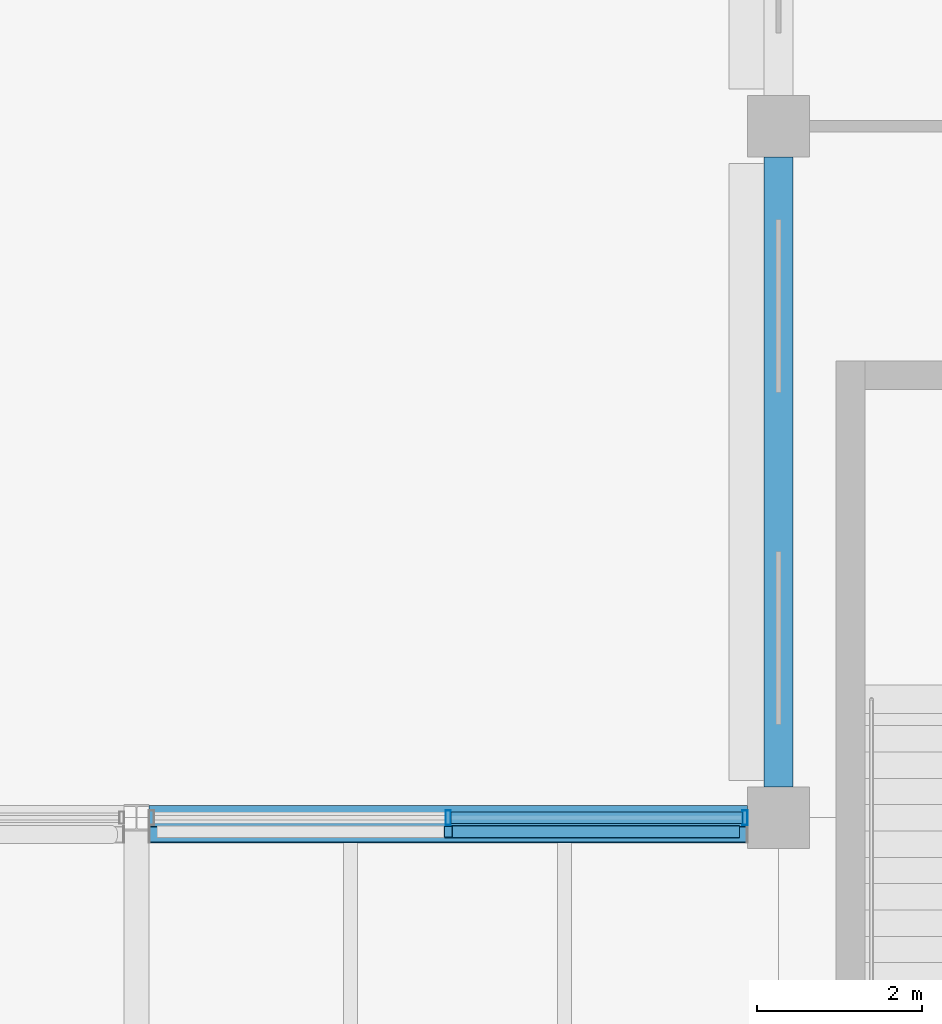
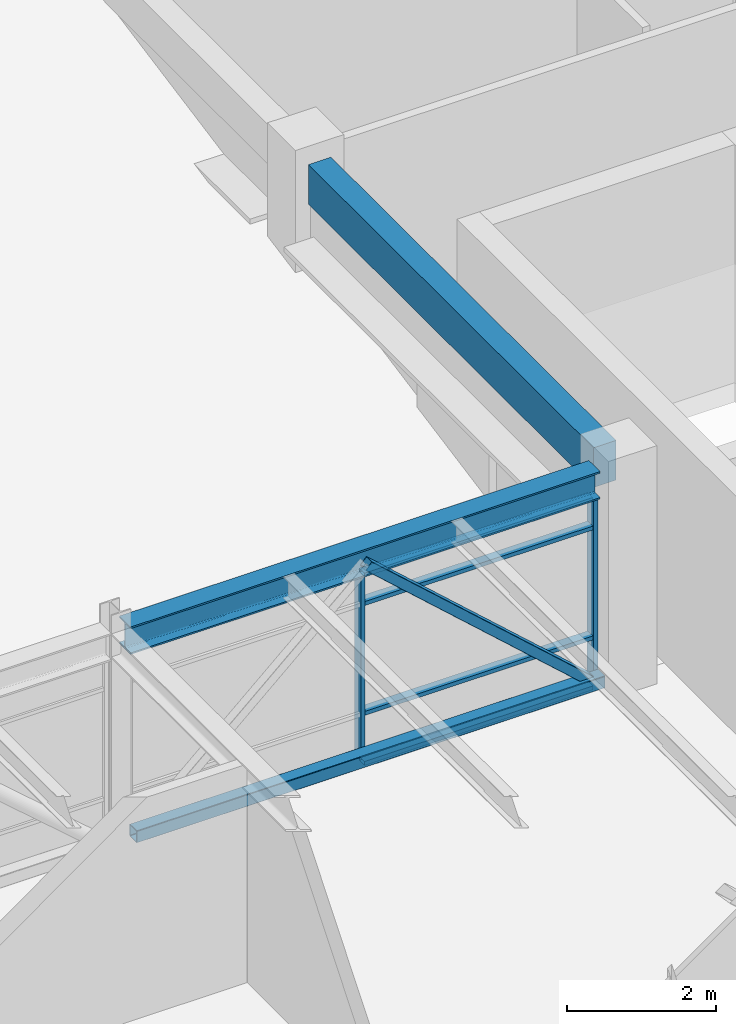
# One storey, part 39 of 72: 8 members, 2 beams, 1 element without a shape of its own.
"""IFC4 building model written with IfcOpenShell, lengths in metres."""

from ifc_helpers import new_model, si_unit, direction, frame, origin, origin_2d, place, context, subcontext, project, spatial, rectangle, hollow_rectangle, i_section, extrude, material, material_profile, profile_set, type_object, element, aggregate, save


model = new_model("IFC4")

# Units and contexts
model_context = context("Model", 3, precision=1e-05, world=origin(), true_north=direction((0.0, 1.0)))
body_context = subcontext(model_context, "Body", "Model", "MODEL_VIEW")
ifc_project = project(units=[si_unit("LENGTHUNIT", "METRE"), si_unit("AREAUNIT", "SQUARE_METRE"), si_unit("VOLUMEUNIT", "CUBIC_METRE"), si_unit("PLANEANGLEUNIT", "RADIAN"), si_unit("MASSUNIT", "GRAM", prefix="KILO"), si_unit("THERMODYNAMICTEMPERATUREUNIT", "KELVIN"), si_unit("POWERUNIT", "WATT")], contexts=[model_context])

# Site, building, storey
site_placement = place(None, origin())
site = spatial("IfcSite", under=ifc_project, at=site_placement, CompositionType="ELEMENT")
building_placement = place(site_placement, origin())
building = spatial("IfcBuilding", under=site, at=building_placement, Name="Srebrne Nadtorze General Hospital", CompositionType="ELEMENT")
storey_placement = place(building_placement, frame((0.0, 0.0, 22.199951171875)))
storey = spatial("IfcBuildingStorey", under=building, at=storey_placement, Name="L05", CompositionType="ELEMENT", Elevation=22.199951171875)

# Beam
ifc_material_1 = material(Name="Steel S355J2", Category="steel")
ifc_material_profile_1 = material_profile(ifc_material_1, i_section(OverallWidth=0.300048828125, OverallDepth=0.449951171875, WebThickness=0.013916015625, FlangeThickness=0.02587890625, FilletRadius=0.027099609375, at=origin_2d()), Name="HEB-450")
ifc_profile_set_1 = profile_set([ifc_material_profile_1], Name="Steel S355J2")
beam_type_1 = type_object("IfcBeamType", Name="Courtyard bridge girder HEB 450", PredefinedType="BEAM", material=ifc_profile_set_1)
beam_1_placement = place(storey_placement, frame((93.75, 58.800048828125, 3.375), z_axis=(1.0, 0.0, 0.0), x_axis=(0.0, 1.0, 0.0)))
element("IfcBeam", 1, at=beam_1_placement, inside=storey, type_object=beam_type_1, Name="Beam BM-L05-X-1039", PredefinedType="BEAM", context=body_context, shape_type="SweptSolid", body=[
    extrude(i_section(OverallWidth=0.300048828125, OverallDepth=0.449951171875, WebThickness=0.013916015625, FlangeThickness=0.02587890625, FilletRadius=0.027099609375, at=origin_2d()), origin(), (0.0, 0.0, 1.0), 7.27490234375),
])

# Curtain wall, members
ifc_material_2 = material(Name="Anodised Aluminium", Category="aluminium")
curtain_wall_type = type_object("IfcCurtainWallType", Name="Bridge curtain wall 7275x3150", PredefinedType="NOTDEFINED", material=ifc_material_2)
curtain_wall_placement = place(storey_placement, origin())
curtain_wall = element("IfcCurtainWall", 2, at=curtain_wall_placement, inside=storey, type_object=curtain_wall_type, Name="Curtain wall CW-129", PredefinedType="NOTDEFINED")
ifc_material_3 = material(Name="Anodised Aluminium", Category="aluminium")
ifc_material_profile_2 = material_profile(ifc_material_3, hollow_rectangle(XDim=0.06494140625, YDim=0.179931640625, WallThickness=0.00390625, at=origin_2d()), Name="AL-MUL-65x180")
ifc_profile_set_2 = profile_set([ifc_material_profile_2], Name="Anodised Aluminium")
member_type_1 = type_object("IfcMemberType", Name="Curtain mullion 65x180", PredefinedType="MULLION", material=ifc_profile_set_2)
member_1_placement = place(storey_placement, frame((97.387451171875, 58.800048828125, 0.0), z_axis=(0.0, 0.0, 1.0), x_axis=(1.0, 0.0, 0.0)))
member_1 = element("IfcMember", 3, at=member_1_placement, type_object=member_type_1, Name="CW-129 mullion 2", PredefinedType="MULLION", context=body_context, shape_type="SweptSolid", body=[
    extrude(hollow_rectangle(XDim=0.06494140625, YDim=0.179931640625, WallThickness=0.00390625, at=origin_2d()), origin(), (0.0, 0.0, 1.0), 3.150146484375),
])
member_2_placement = place(storey_placement, frame((100.992431640625, 58.800048828125, 0.0), z_axis=(0.0, 0.0, 1.0), x_axis=(1.0, 0.0, 0.0)))
member_2 = element("IfcMember", 4, at=member_2_placement, type_object=member_type_1, Name="CW-129 mullion 3", PredefinedType="MULLION", context=body_context, shape_type="SweptSolid", body=[
    extrude(hollow_rectangle(XDim=0.06494140625, YDim=0.179931640625, WallThickness=0.00390625, at=origin_2d()), origin(), (0.0, 0.0, 1.0), 3.150146484375),
])
ifc_material_4 = material(Name="Anodised Aluminium", Category="aluminium")
ifc_material_profile_3 = material_profile(ifc_material_4, hollow_rectangle(XDim=0.06494140625, YDim=0.139892578125, WallThickness=0.00390625, at=origin_2d()), Name="AL-TRN-65x140")
ifc_profile_set_3 = profile_set([ifc_material_profile_3], Name="Anodised Aluminium")
member_type_2 = type_object("IfcMemberType", Name="Curtain transom 65x140", PredefinedType="USERDEFINED", material=ifc_profile_set_3)
member_3_placement = place(storey_placement, frame((97.419921875, 58.800048828125, 0.032470703125), z_axis=(1.0, 0.0, 0.0), x_axis=(0.0, 0.0, 1.0)))
member_3 = element("IfcMember", 5, at=member_3_placement, type_object=member_type_2, Name="CW-129 transom 2.1", ObjectType="TRANSOM", PredefinedType="USERDEFINED", context=body_context, shape_type="SweptSolid", body=[
    extrude(hollow_rectangle(XDim=0.06494140625, YDim=0.139892578125, WallThickness=0.00390625, at=origin_2d()), origin(), (0.0, 0.0, 1.0), 3.5400390625),
])
member_4_placement = place(storey_placement, frame((97.419921875, 58.800048828125, 0.85009765625), z_axis=(1.0, 0.0, 0.0), x_axis=(0.0, 0.0, 1.0)))
member_4 = element("IfcMember", 6, at=member_4_placement, type_object=member_type_2, Name="CW-129 transom 2.2", ObjectType="TRANSOM", PredefinedType="USERDEFINED", context=body_context, shape_type="SweptSolid", body=[
    extrude(hollow_rectangle(XDim=0.06494140625, YDim=0.139892578125, WallThickness=0.00390625, at=origin_2d()), origin(), (0.0, 0.0, 1.0), 3.5400390625),
])
member_5_placement = place(storey_placement, frame((97.419921875, 58.800048828125, 2.650146484375), z_axis=(1.0, 0.0, 0.0), x_axis=(0.0, 0.0, 1.0)))
member_5 = element("IfcMember", 7, at=member_5_placement, type_object=member_type_2, Name="CW-129 transom 2.3", ObjectType="TRANSOM", PredefinedType="USERDEFINED", context=body_context, shape_type="SweptSolid", body=[
    extrude(hollow_rectangle(XDim=0.06494140625, YDim=0.139892578125, WallThickness=0.00390625, at=origin_2d()), origin(), (0.0, 0.0, 1.0), 3.5400390625),
])
member_6_placement = place(storey_placement, frame((97.419921875, 58.800048828125, 3.117431640625), z_axis=(1.0, 0.0, 0.0), x_axis=(0.0, 0.0, 1.0)))
member_6 = element("IfcMember", 8, at=member_6_placement, type_object=member_type_2, Name="CW-129 transom 2.4", ObjectType="TRANSOM", PredefinedType="USERDEFINED", context=body_context, shape_type="SweptSolid", body=[
    extrude(hollow_rectangle(XDim=0.06494140625, YDim=0.139892578125, WallThickness=0.00390625, at=origin_2d()), origin(), (0.0, 0.0, 1.0), 3.5400390625),
])
aggregate(curtain_wall, [member_1, member_2, member_3, member_4, member_5, member_6])

# Beam
ifc_material_5 = material(Name="Concrete C35/45", Category="concrete")
ifc_material_profile_4 = material_profile(ifc_material_5, rectangle(XDim=0.35009765625, YDim=0.64990234375, at=origin_2d()), Name="RC-BM-350x650")
ifc_profile_set_4 = profile_set([ifc_material_profile_4], Name="Concrete C35/45")
beam_type_2 = type_object("IfcBeamType", Name="Edge beam RC 350x650", PredefinedType="BEAM", material=ifc_profile_set_4)
beam_2_placement = place(storey_placement, frame((101.39990234375, 59.175048828125, 3.275146484375), z_axis=(0.0, 1.0, 0.0), x_axis=(-1.0, 0.0, 0.0)))
element("IfcBeam", 9, at=beam_2_placement, inside=storey, type_object=beam_type_2, Name="Beam BM-L05-Y-1099", PredefinedType="BEAM", context=body_context, shape_type="SweptSolid", body=[
    extrude(rectangle(XDim=0.35009765625, YDim=0.64990234375, at=origin_2d()), origin(), (0.0, 0.0, 1.0), 7.64990234375),
])

# Members
ifc_material_6 = material(Name="Steel S355J2", Category="steel")
ifc_material_profile_5 = material_profile(ifc_material_6, hollow_rectangle(XDim=0.199951171875, YDim=0.199951171875, WallThickness=0.010009765625, InnerFilletRadius=0.010009765625, OuterFilletRadius=0.014892578125, at=origin_2d()), Name="SHS-200x200x10")
ifc_profile_set_5 = profile_set([ifc_material_profile_5], Name="Steel S355J2")
member_type_3 = type_object("IfcMemberType", Name="Truss chord SHS 200x200x10", PredefinedType="CHORD", material=ifc_profile_set_5)
member_7_placement = place(storey_placement, frame((93.761962890625, 58.594970703125, 0.25), z_axis=(1.0, 0.0, 0.0), x_axis=(0.0, 1.0, 0.0)))
element("IfcMember", 10, at=member_7_placement, inside=storey, type_object=member_type_3, Name="Clinical courtyard bridge truss chord 12", PredefinedType="CHORD", context=body_context, shape_type="SweptSolid", body=[
    extrude(hollow_rectangle(XDim=0.199951171875, YDim=0.199951171875, WallThickness=0.010009765625, InnerFilletRadius=0.010009765625, OuterFilletRadius=0.014892578125, at=origin_2d()), origin(), (0.0, 0.0, 1.0), 7.2509765625),
])
ifc_material_7 = material(Name="Steel S355J2", Category="steel")
ifc_material_profile_6 = material_profile(ifc_material_7, hollow_rectangle(XDim=0.14990234375, YDim=0.14990234375, WallThickness=0.00634765625, InnerFilletRadius=0.006103515625, OuterFilletRadius=0.009033203125, at=origin_2d()), Name="SHS-150x150x6.3")
ifc_profile_set_6 = profile_set([ifc_material_profile_6], Name="Steel S355J2")
member_type_4 = type_object("IfcMemberType", Name="Wind brace SHS 150x150x6.3", PredefinedType="BRACE", material=ifc_profile_set_6)
member_8_placement = place(storey_placement, frame((100.875, 58.6298828125, 0.25), z_axis=(-0.744213065874, 0.0, 0.667942297345), x_axis=(0.0, -1.0, 0.0)))
element("IfcMember", 11, at=member_8_placement, inside=storey, type_object=member_type_4, Name="Clinical courtyard bridge brace 24", PredefinedType="BRACE", context=body_context, shape_type="SweptSolid", body=[
    extrude(hollow_rectangle(XDim=0.14990234375, YDim=0.14990234375, WallThickness=0.00634765625, InnerFilletRadius=0.006103515625, OuterFilletRadius=0.009033203125, at=origin_2d()), origin(), (0.0, 0.0, 1.0), 4.686279296875),
])

save(model, "model.ifc")
